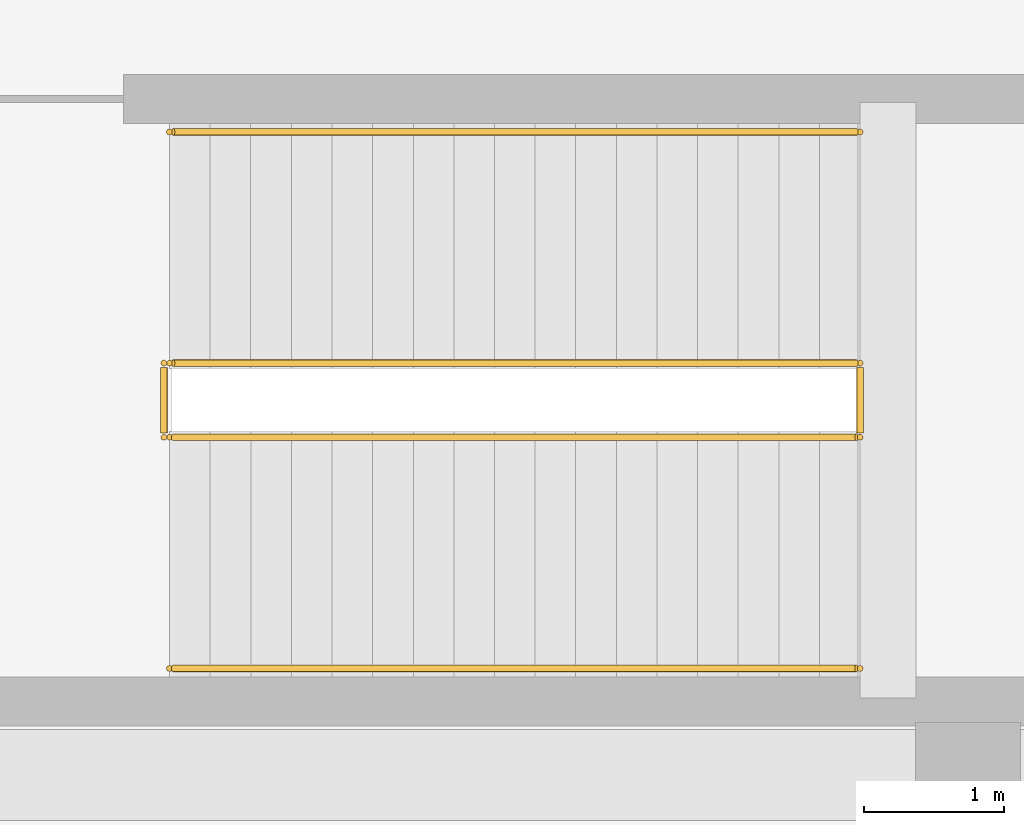
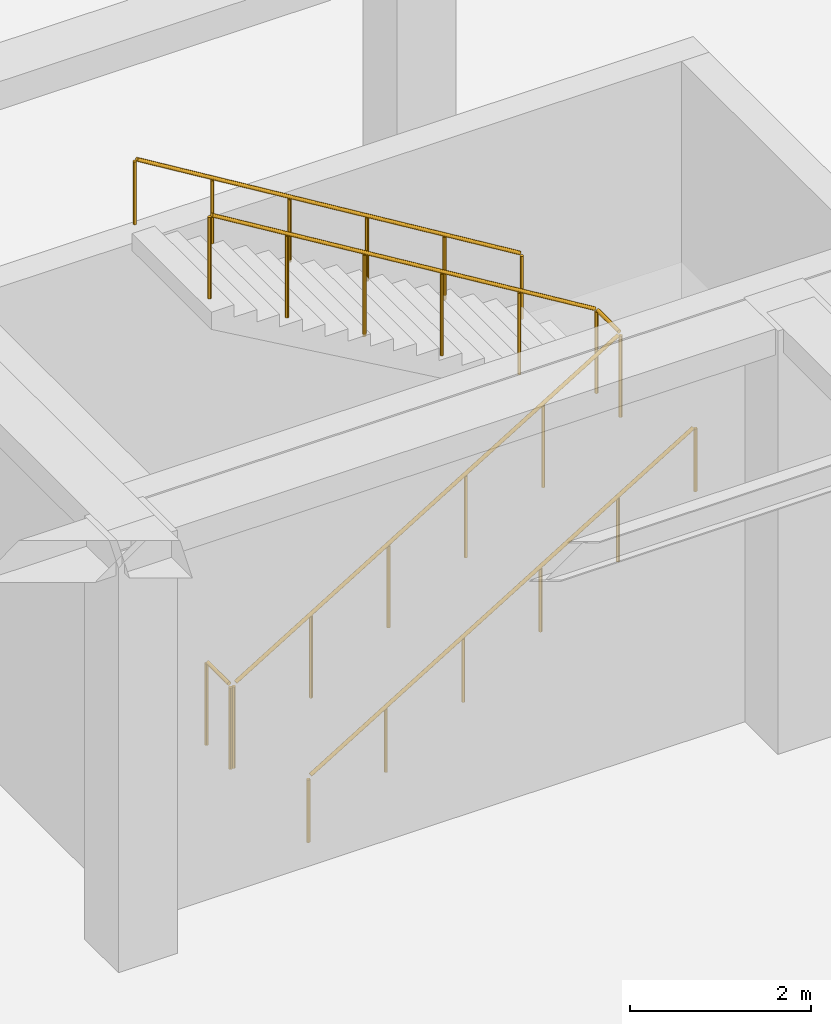
# One storey, part 41 of 43: 4 railings.
"""IFC4 building model written with IfcOpenShell, lengths in metres."""

from ifc_helpers import new_model, si_unit, direction, frame, origin, origin_2d, place, context, subcontext, project, spatial, circle, extrude, material, type_object, element, save


model = new_model("IFC4")

# Units and contexts
model_context = context("Model", 3, precision=1e-05, world=origin(), true_north=direction((0.0, 1.0)))
body_context = subcontext(model_context, "Body", "Model", "MODEL_VIEW")
ifc_project = project(units=[si_unit("LENGTHUNIT", "METRE"), si_unit("AREAUNIT", "SQUARE_METRE"), si_unit("VOLUMEUNIT", "CUBIC_METRE"), si_unit("PLANEANGLEUNIT", "RADIAN"), si_unit("MASSUNIT", "GRAM", prefix="KILO")], contexts=[model_context])

# Site, building, storey
site_placement = place(None, origin())
site = spatial("IfcSite", under=ifc_project, at=site_placement, CompositionType="ELEMENT")
building_placement = place(site_placement, origin())
building = spatial("IfcBuilding", under=site, at=building_placement, Name="Almacenes y Pasaje Nevantli", CompositionType="ELEMENT")
storey_placement = place(building_placement, origin())
storey = spatial("IfcBuildingStorey", under=building, at=storey_placement, Name="L01", CompositionType="ELEMENT", Elevation=0.0)

# Railings
ifc_material_1 = material(Name="Brushed Stainless Steel and Tempered Safety Glass", Category="steel")
railing_type_1 = type_object("IfcRailingType", Name="RL-GUARD-1100", PredefinedType="BALUSTRADE", material=ifc_material_1)
railing_1_placement = place(storey_placement, frame((128.699951171875, 19.2099609375, 0.0)))
element("IfcRailing", 1, at=railing_1_placement, inside=storey, type_object=railing_type_1, Name="L01 Stair ST-06 Inner Well Guard Balustrade", PredefinedType="BALUSTRADE", context=body_context, shape_type="SweptSolid", body=[
    extrude(circle(Radius=0.02392578125, at=origin_2d()), frame((0.025634765625, 0.0, 1.141357421875), z_axis=(0.854262269089, 0.0, 0.519842260316), x_axis=(0.0, 1.0, 0.0)), (0.0, 0.0, 1.0), 5.7109375),
    extrude(circle(Radius=0.02392578125, at=origin_2d()), frame((4.929931640625, 0.030029296875, 4.1259765625), z_axis=(0.0, 1.0, 0.0), x_axis=(-1.0, 0.0, 0.0)), (0.0, 0.0, 1.0), 0.469970703125),
    extrude(circle(Radius=0.02392578125, at=origin_2d()), frame((4.904296875, 0.530029296875, 4.141357421875), z_axis=(-0.854262269089, 0.0, 0.519842260316), x_axis=(0.0, -1.0, 0.0)), (0.0, 0.0, 1.0), 5.7109375),
    extrude(circle(Radius=0.02099609375, at=origin_2d()), origin(), (0.0, 0.0, 1.0), 1.096923828125),
    extrude(circle(Radius=0.02099609375, at=origin_2d()), frame((0.986083984375, 0.0, 0.60009765625)), (0.0, 0.0, 1.0), 1.096923828125),
    extrude(circle(Radius=0.02099609375, at=origin_2d()), frame((1.971923828125, 0.0, 1.199951171875)), (0.0, 0.0, 1.0), 1.096923828125),
    extrude(circle(Radius=0.02099609375, at=origin_2d()), frame((2.9580078125, 0.0, 1.800048828125)), (0.0, 0.0, 1.0), 1.096923828125),
    extrude(circle(Radius=0.02099609375, at=origin_2d()), frame((3.94384765625, 0.0, 2.39990234375)), (0.0, 0.0, 1.0), 1.096923828125),
    extrude(circle(Radius=0.02099609375, at=origin_2d()), frame((4.929931640625, 0.0, 3.0)), (0.0, 0.0, 1.0), 1.096923828125),
    extrude(circle(Radius=0.02099609375, at=origin_2d()), frame((4.929931640625, 0.530029296875, 3.0)), (0.0, 0.0, 1.0), 1.096923828125),
    extrude(circle(Radius=0.02099609375, at=origin_2d()), frame((3.94384765625, 0.530029296875, 3.60009765625)), (0.0, 0.0, 1.0), 1.096923828125),
    extrude(circle(Radius=0.02099609375, at=origin_2d()), frame((2.9580078125, 0.530029296875, 4.199951171875)), (0.0, 0.0, 1.0), 1.096923828125),
    extrude(circle(Radius=0.02099609375, at=origin_2d()), frame((1.971923828125, 0.530029296875, 4.800048828125)), (0.0, 0.0, 1.0), 1.096923828125),
    extrude(circle(Radius=0.02099609375, at=origin_2d()), frame((0.986083984375, 0.530029296875, 5.39990234375)), (0.0, 0.0, 1.0), 1.096923828125),
    extrude(circle(Radius=0.02099609375, at=origin_2d()), frame((0.0, 0.530029296875, 6.0)), (0.0, 0.0, 1.0), 1.096923828125),
])
railing_2_placement = place(storey_placement, frame((128.659912109375, 19.2099609375, 0.0)))
element("IfcRailing", 2, at=railing_2_placement, inside=storey, type_object=railing_type_1, Name="L01 Stair ST-06 Landing Well Slot Guard", PredefinedType="BALUSTRADE", context=body_context, shape_type="SweptSolid", body=[
    extrude(circle(Radius=0.02392578125, at=origin_2d()), frame((0.0, 0.030029296875, 1.1259765625), z_axis=(0.0, 1.0, 0.0), x_axis=(-1.0, 0.0, 0.0)), (0.0, 0.0, 1.0), 0.469970703125),
    extrude(circle(Radius=0.02099609375, at=origin_2d()), origin(), (0.0, 0.0, 1.0), 1.096923828125),
    extrude(circle(Radius=0.02099609375, at=origin_2d()), frame((0.0, 0.530029296875, 0.0)), (0.0, 0.0, 1.0), 1.096923828125),
])
ifc_material_2 = material(Name="Brushed Stainless Steel Tube", Category="steel")
railing_type_2 = type_object("IfcRailingType", Name="RL-HANDRAIL-900", PredefinedType="HANDRAIL", material=ifc_material_2)
railing_3_placement = place(storey_placement, frame((128.699951171875, 17.56005859375, 0.0)))
element("IfcRailing", 3, at=railing_3_placement, inside=storey, type_object=railing_type_2, Name="L01 Stair ST-06 Lower Flight Handrail", PredefinedType="HANDRAIL", context=body_context, shape_type="SweptSolid", body=[
    extrude(circle(Radius=0.02392578125, at=origin_2d()), frame((0.025634765625, 0.0, 0.891357421875), z_axis=(0.854262269089, 0.0, 0.519842260316), x_axis=(0.0, 1.0, 0.0)), (0.0, 0.0, 1.0), 5.7109375),
    extrude(circle(Radius=0.02099609375, at=origin_2d()), origin(), (0.0, 0.0, 1.0), 0.846923828125),
    extrude(circle(Radius=0.02099609375, at=origin_2d()), frame((0.986083984375, 0.0, 0.60009765625)), (0.0, 0.0, 1.0), 0.846923828125),
    extrude(circle(Radius=0.02099609375, at=origin_2d()), frame((1.971923828125, 0.0, 1.199951171875)), (0.0, 0.0, 1.0), 0.846923828125),
    extrude(circle(Radius=0.02099609375, at=origin_2d()), frame((2.9580078125, 0.0, 1.800048828125)), (0.0, 0.0, 1.0), 0.846923828125),
    extrude(circle(Radius=0.02099609375, at=origin_2d()), frame((3.94384765625, 0.0, 2.39990234375)), (0.0, 0.0, 1.0), 0.846923828125),
    extrude(circle(Radius=0.02099609375, at=origin_2d()), frame((4.929931640625, 0.0, 3.0)), (0.0, 0.0, 1.0), 0.846923828125),
])
railing_4_placement = place(storey_placement, frame((133.6298828125, 21.389892578125, 3.0)))
element("IfcRailing", 4, at=railing_4_placement, inside=storey, type_object=railing_type_2, Name="L01 Stair ST-06 Upper Flight Handrail", PredefinedType="HANDRAIL", context=body_context, shape_type="SweptSolid", body=[
    extrude(circle(Radius=0.02392578125, at=origin_2d()), frame((-0.025634765625, 0.0, 0.891357421875), z_axis=(-0.854262269089, 0.0, 0.519842260316), x_axis=(0.0, -1.0, 0.0)), (0.0, 0.0, 1.0), 5.7109375),
    extrude(circle(Radius=0.02099609375, at=origin_2d()), origin(), (0.0, 0.0, 1.0), 0.846923828125),
    extrude(circle(Radius=0.02099609375, at=origin_2d()), frame((-0.986083984375, 0.0, 0.60009765625)), (0.0, 0.0, 1.0), 0.846923828125),
    extrude(circle(Radius=0.02099609375, at=origin_2d()), frame((-1.971923828125, 0.0, 1.199951171875)), (0.0, 0.0, 1.0), 0.846923828125),
    extrude(circle(Radius=0.02099609375, at=origin_2d()), frame((-2.9580078125, 0.0, 1.800048828125)), (0.0, 0.0, 1.0), 0.846923828125),
    extrude(circle(Radius=0.02099609375, at=origin_2d()), frame((-3.94384765625, 0.0, 2.39990234375)), (0.0, 0.0, 1.0), 0.846923828125),
    extrude(circle(Radius=0.02099609375, at=origin_2d()), frame((-4.929931640625, 0.0, 3.0)), (0.0, 0.0, 1.0), 0.846923828125),
])

save(model, "model.ifc")
